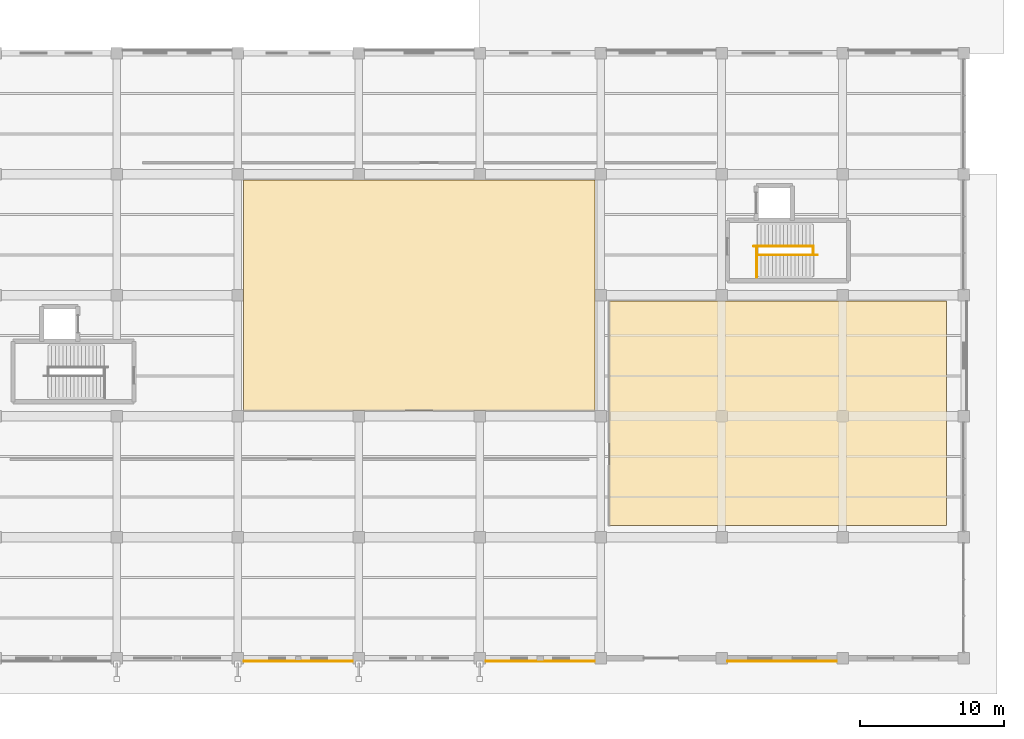
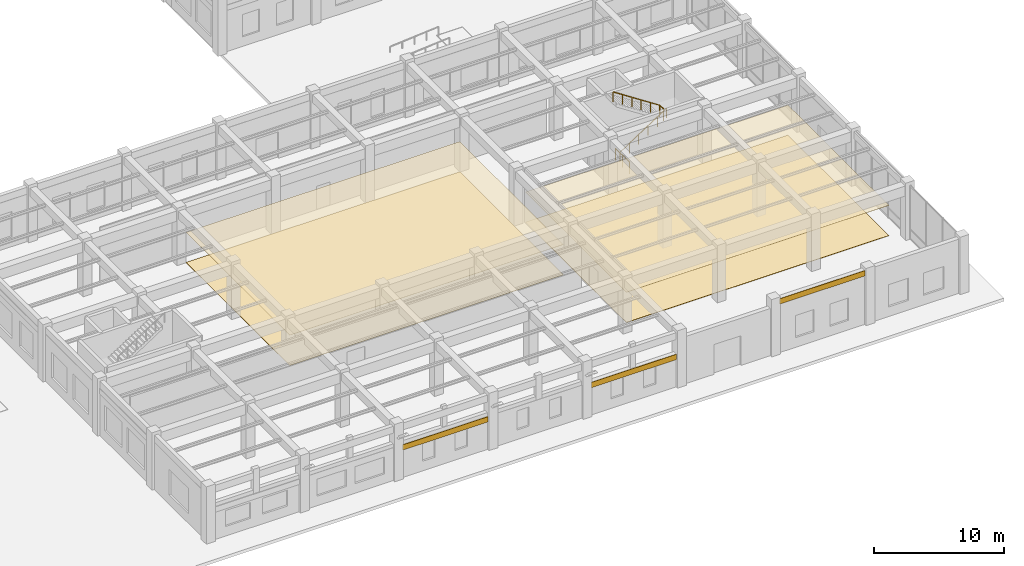
# One storey, part 153 of 157: 7 coverings, 4 railings.
"""IFC4 building model written with IfcOpenShell, lengths in metres."""

from ifc_helpers import new_model, si_unit, direction, frame, origin, origin_2d, place, context, subcontext, project, spatial, polyline, circle, outline, extrude, material, layer, layer_set, type_object, element, save


model = new_model("IFC4")

# Units and contexts
model_context = context("Model", 3, precision=1e-05, world=origin(), true_north=direction((0.0, 1.0)))
body_context = subcontext(model_context, "Body", "Model", "MODEL_VIEW")
ifc_project = project(units=[si_unit("LENGTHUNIT", "METRE"), si_unit("AREAUNIT", "SQUARE_METRE"), si_unit("VOLUMEUNIT", "CUBIC_METRE"), si_unit("PLANEANGLEUNIT", "RADIAN"), si_unit("MASSUNIT", "GRAM", prefix="KILO"), si_unit("THERMODYNAMICTEMPERATUREUNIT", "KELVIN"), si_unit("POWERUNIT", "WATT")], contexts=[model_context])

# Site, building, storey
site_placement = place(None, origin())
site = spatial("IfcSite", under=ifc_project, at=site_placement, CompositionType="ELEMENT")
building_placement = place(site_placement, origin())
building = spatial("IfcBuilding", under=site, at=building_placement, Name="Darbajah Civic Hall", CompositionType="ELEMENT")
storey_placement = place(building_placement, origin())
storey = spatial("IfcBuildingStorey", under=building, at=storey_placement, Name="L00", CompositionType="ELEMENT", Elevation=0.0)

# Railings
ifc_material_1 = material(Name="Brushed Bronze Stainless Steel", Category="steel")
railing_type_1 = type_object("IfcRailingType", Name="Brushed Bronze Handrail", PredefinedType="HANDRAIL", material=ifc_material_1)
railing_1_placement = place(storey_placement, frame((163.8798828125, 28.0, 0.168701171875)))
element("IfcRailing", 1, at=railing_1_placement, inside=storey, type_object=railing_type_1, Name="ST07 L00 lower flight handrail", PredefinedType="HANDRAIL", context=body_context, shape_type="SweptSolid", body=[
    extrude(circle(Radius=0.02392578125, at=origin_2d()), frame((0.02294921875, 0.0, 0.910888671875), z_axis=(0.837094212588, 0.0, 0.547058753016), x_axis=(0.0, 1.0, 0.0)), (0.0, 0.0, 1.0), 4.915283203125),
    extrude(circle(Radius=0.02099609375, at=origin_2d()), origin(), (0.0, 0.0, 1.0), 0.867919921875),
    extrude(circle(Radius=0.02099609375, at=origin_2d()), frame((0.83203125, 0.0, 0.543701171875)), (0.0, 0.0, 1.0), 0.867919921875),
    extrude(circle(Radius=0.02099609375, at=origin_2d()), frame((1.6640625, 0.0, 1.08740234375)), (0.0, 0.0, 1.0), 0.867919921875),
    extrude(circle(Radius=0.02099609375, at=origin_2d()), frame((2.49609375, 0.0, 1.63134765625)), (0.0, 0.0, 1.0), 0.867919921875),
    extrude(circle(Radius=0.02099609375, at=origin_2d()), frame((3.328125, 0.0, 2.175048828125)), (0.0, 0.0, 1.0), 0.867919921875),
    extrude(circle(Radius=0.02099609375, at=origin_2d()), frame((4.16015625, 0.0, 2.71875)), (0.0, 0.0, 1.0), 0.867919921875),
])
railing_2_placement = place(storey_placement, frame((167.780029296875, 28.60009765625, 2.86865234375)))
element("IfcRailing", 2, at=railing_2_placement, inside=storey, type_object=railing_type_1, Name="ST07 L00 upper flight handrail", PredefinedType="HANDRAIL", context=body_context, shape_type="SweptSolid", body=[
    extrude(circle(Radius=0.02392578125, at=origin_2d()), frame((-0.02294921875, 0.0, 0.910888671875), z_axis=(-0.837079509808, 0.0, 0.547081250145), x_axis=(0.0, -1.0, 0.0)), (0.0, 0.0, 1.0), 4.9150390625),
    extrude(circle(Radius=0.02099609375, at=origin_2d()), origin(), (0.0, 0.0, 1.0), 0.867919921875),
    extrude(circle(Radius=0.02099609375, at=origin_2d()), frame((-0.83203125, 0.0, 0.543701171875)), (0.0, 0.0, 1.0), 0.867919921875),
    extrude(circle(Radius=0.02099609375, at=origin_2d()), frame((-1.6640625, 0.0, 1.08740234375)), (0.0, 0.0, 1.0), 0.867919921875),
    extrude(circle(Radius=0.02099609375, at=origin_2d()), frame((-2.495849609375, 0.0, 1.63134765625)), (0.0, 0.0, 1.0), 0.867919921875),
    extrude(circle(Radius=0.02099609375, at=origin_2d()), frame((-3.327880859375, 0.0, 2.175048828125)), (0.0, 0.0, 1.0), 0.867919921875),
    extrude(circle(Radius=0.02099609375, at=origin_2d()), frame((-4.159912109375, 0.0, 2.71875)), (0.0, 0.0, 1.0), 0.867919921875),
])

# Coverings
ifc_material_2 = material(Name="Honed Qatari Limestone Terrazzo", Category="masonry")
ifc_layer_1 = layer(ifc_material_2, 0.030029296875, Name="Honed Qatari Limestone Terrazzo")
ifc_layer_set_1 = layer_set([ifc_layer_1], Name="Honed Qatari Limestone Terrazzo")
covering_type_1 = type_object("IfcCoveringType", Name="Honed Qatari Limestone Terrazzo Flooring", PredefinedType="FLOORING", material=ifc_layer_set_1)
covering_1_placement = place(storey_placement, origin())
element("IfcCovering", 3, at=covering_1_placement, inside=storey, type_object=covering_type_1, Name="L00 stone terrazzo flooring L00-V3-01", PredefinedType="FLOORING", context=body_context, shape_type="SweptSolid", body=[
    extrude(outline(polyline([(128.199951171875, 17.199951171875), (152.60009765625, 17.199951171875), (152.60009765625, 33.199951171875), (128.199951171875, 33.199951171875), (128.199951171875, 17.199951171875)])), origin(), (0.0, 0.0, 1.0), 0.030029296875),
])
covering_2_placement = place(storey_placement, origin())
element("IfcCovering", 4, at=covering_2_placement, inside=storey, type_object=covering_type_1, Name="L00 stone terrazzo flooring L00-V3-03", PredefinedType="FLOORING", context=body_context, shape_type="SweptSolid", body=[
    extrude(outline(polyline([(153.60009765625, 9.199951171875), (177.0, 9.199951171875), (177.0, 24.800048828125), (153.60009765625, 24.800048828125), (153.60009765625, 9.199951171875)])), origin(), (0.0, 0.0, 1.0), 0.030029296875),
])

# Railings
ifc_material_3 = material(Name="Brushed Bronze and Laminated Safety Glass", Category="glass")
railing_type_2 = type_object("IfcRailingType", Name="Interior Guard Balustrade", PredefinedType="BALUSTRADE", material=ifc_material_3)
railing_3_placement = place(storey_placement, frame((163.830078125, 26.449951171875, 0.0)))
element("IfcRailing", 5, at=railing_3_placement, inside=storey, type_object=railing_type_2, Name="ST07 L00 stair-well edge guard", PredefinedType="BALUSTRADE", context=body_context, shape_type="SweptSolid", body=[
    extrude(circle(Radius=0.02392578125, at=origin_2d()), frame((0.0, 0.02734375, 1.09619140625), z_axis=(0.0, 1.0, 0.0), x_axis=(-1.0, 0.0, 0.0)), (0.0, 0.0, 1.0), 2.095458984375),
    extrude(circle(Radius=0.02099609375, at=origin_2d()), origin(), (0.0, 0.0, 1.0), 1.068115234375),
    extrude(circle(Radius=0.02099609375, at=origin_2d()), frame((0.0, 1.0751953125, 0.0)), (0.0, 0.0, 1.0), 1.068115234375),
    extrude(circle(Radius=0.02099609375, at=origin_2d()), frame((0.0, 2.150146484375, 0.0)), (0.0, 0.0, 1.0), 1.068115234375),
])
railing_4_placement = place(storey_placement, frame((167.760009765625, 28.0, 2.699951171875)))
element("IfcRailing", 6, at=railing_4_placement, inside=storey, type_object=railing_type_2, Name="ST07 L00 landing well guard", PredefinedType="BALUSTRADE", context=body_context, shape_type="SweptSolid", body=[
    extrude(circle(Radius=0.02392578125, at=origin_2d()), frame((0.0, 0.02734375, 1.09619140625), z_axis=(0.0, 1.0, 0.0), x_axis=(-1.0, 0.0, 0.0)), (0.0, 0.0, 1.0), 0.54541015625),
    extrude(circle(Radius=0.02099609375, at=origin_2d()), origin(), (0.0, 0.0, 1.0), 1.068115234375),
    extrude(circle(Radius=0.02099609375, at=origin_2d()), frame((0.0, 0.60009765625, 0.0)), (0.0, 0.0, 1.0), 1.068115234375),
])

# Coverings
ifc_material_4 = material(Name="Qatari Desert Limestone Ashlar", Category="masonry")
ifc_layer_2 = layer(ifc_material_4, 0.044921875, Name="Qatari Desert Limestone Ashlar")
ifc_layer_set_2 = layer_set([ifc_layer_2], Name="Qatari Desert Limestone Ashlar")
covering_type_2 = type_object("IfcCoveringType", Name="Limestone Facade Cladding", PredefinedType="CLADDING", material=ifc_layer_set_2)
covering_3_placement = place(storey_placement, frame((0.0, 0.0, 2.60009765625)))
element("IfcCovering", 7, at=covering_3_placement, inside=storey, type_object=covering_type_2, Name="L00 stone frieze cladding EW-V3-L00-S0-B2", PredefinedType="CLADDING", context=body_context, shape_type="SweptSolid", body=[
    extrude(outline(polyline([(128.201904296875, -0.18994140625), (135.798095703125, -0.18994140625), (135.798095703125, -0.235107421875), (128.201904296875, -0.235107421875), (128.201904296875, -0.18994140625)])), origin(), (0.0, 0.0, 1.0), 0.5),
])
covering_4_placement = place(storey_placement, frame((0.0, 0.0, 2.60009765625)))
element("IfcCovering", 8, at=covering_4_placement, inside=storey, type_object=covering_type_2, Name="L00 stone frieze cladding EW-V3-L00-S0-B4", PredefinedType="CLADDING", context=body_context, shape_type="SweptSolid", body=[
    extrude(outline(polyline([(145.001953125, -0.18994140625), (152.597900390625, -0.18994140625), (152.597900390625, -0.235107421875), (145.001953125, -0.235107421875), (145.001953125, -0.18994140625)])), origin(), (0.0, 0.0, 1.0), 0.5),
])
covering_5_placement = place(storey_placement, frame((0.0, 0.0, 4.60009765625)))
element("IfcCovering", 9, at=covering_5_placement, inside=storey, type_object=covering_type_2, Name="L00 stone frieze cladding EW-V3-L00-S0-B6", PredefinedType="CLADDING", context=body_context, shape_type="SweptSolid", body=[
    extrude(outline(polyline([(161.802001953125, -0.18994140625), (169.39794921875, -0.18994140625), (169.39794921875, -0.235107421875), (161.802001953125, -0.235107421875), (161.802001953125, -0.18994140625)])), origin(), (0.0, 0.0, 1.0), 0.5),
])
ifc_material_5 = material(Name="Perforated Acoustic Gypsum Board")
ifc_layer_3 = layer(ifc_material_5, 0.02490234375, Name="Perforated Acoustic Gypsum Board")
ifc_layer_set_3 = layer_set([ifc_layer_3], Name="Perforated Acoustic Gypsum Board")
covering_type_3 = type_object("IfcCoveringType", Name="Perforated Acoustic Gypsum Ceiling", PredefinedType="CEILING", material=ifc_layer_set_3)
covering_6_placement = place(storey_placement, frame((0.0, 0.0, 2.85009765625)))
element("IfcCovering", 10, at=covering_6_placement, inside=storey, type_object=covering_type_3, Name="L00 acoustic suspended ceiling L00-V3-01", PredefinedType="CEILING", context=body_context, shape_type="SweptSolid", body=[
    extrude(outline(polyline([(128.199951171875, 17.199951171875), (152.60009765625, 17.199951171875), (152.60009765625, 33.199951171875), (128.199951171875, 33.199951171875), (128.199951171875, 17.199951171875)])), origin(), (0.0, 0.0, 1.0), 0.02490234375),
])
covering_7_placement = place(storey_placement, frame((0.0, 0.0, 2.85009765625)))
element("IfcCovering", 11, at=covering_7_placement, inside=storey, type_object=covering_type_3, Name="L00 acoustic suspended ceiling L00-V3-03", PredefinedType="CEILING", context=body_context, shape_type="SweptSolid", body=[
    extrude(outline(polyline([(153.60009765625, 9.199951171875), (177.0, 9.199951171875), (177.0, 24.800048828125), (153.60009765625, 24.800048828125), (153.60009765625, 9.199951171875)])), origin(), (0.0, 0.0, 1.0), 0.02490234375),
])

save(model, "model.ifc")
